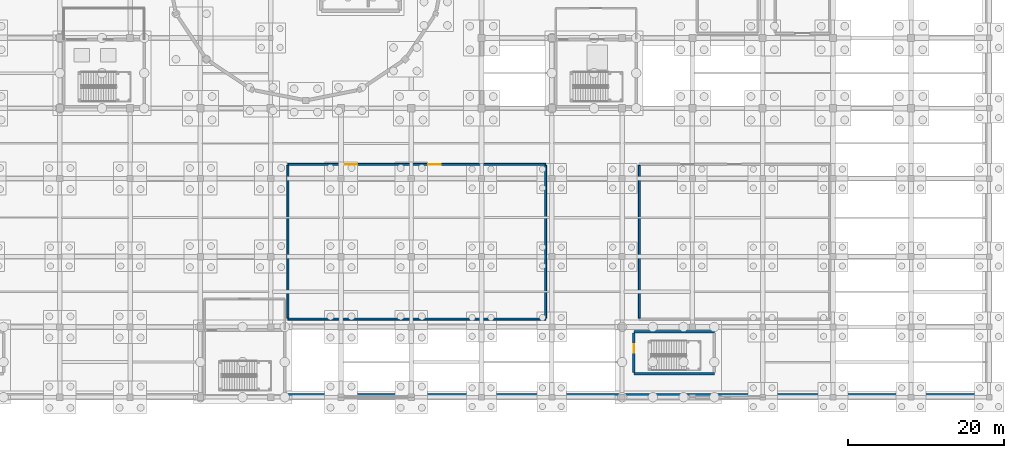
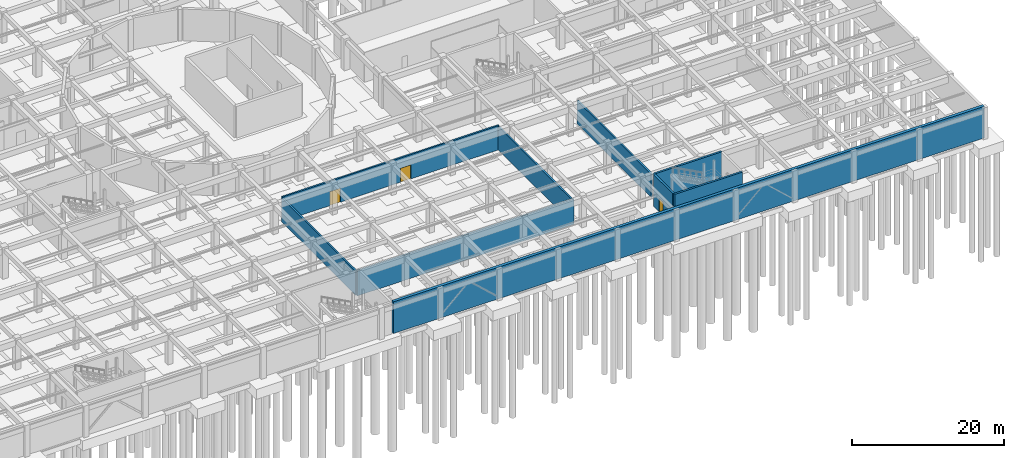
# One storey, part 44 of 62: 9 walls, 3 doors, 3 openings.
"""IFC4 building model written with IfcOpenShell, lengths in metres."""

from ifc_helpers import new_model, si_unit, direction, frame, frame_2d, origin, place, context, subcontext, project, spatial, rectangle, extrude, material, layer, layer_set, type_object, element, fill, save


model = new_model("IFC4")

# Units and contexts
model_context = context("Model", 3, precision=1e-05, world=origin(), true_north=direction((0.0, 1.0)))
body_context = subcontext(model_context, "Body", "Model", "MODEL_VIEW")
ifc_project = project(units=[si_unit("LENGTHUNIT", "METRE"), si_unit("AREAUNIT", "SQUARE_METRE"), si_unit("VOLUMEUNIT", "CUBIC_METRE"), si_unit("PLANEANGLEUNIT", "RADIAN"), si_unit("MASSUNIT", "GRAM", prefix="KILO")], contexts=[model_context])

# Site, building, storey
site_placement = place(None, origin())
site = spatial("IfcSite", under=ifc_project, at=site_placement, CompositionType="ELEMENT")
building_placement = place(site_placement, origin())
building = spatial("IfcBuilding", under=site, at=building_placement, Name="Miravela Opera House", CompositionType="ELEMENT")
storey_placement = place(building_placement, frame((0.0, 0.0, -5.10009765625)))
storey = spatial("IfcBuildingStorey", under=building, at=storey_placement, Name="B01", CompositionType="ELEMENT", Elevation=-5.10009765625)

# Wall
ifc_material_1 = material(Name="Firefighting lobby compartment wall")
ifc_layer_1 = layer(ifc_material_1, 0.25)
ifc_layer_set_1 = layer_set([ifc_layer_1])
wall_type_1 = type_object("IfcWallType", Name="ARC-PT-220", PredefinedType="PARTITIONING", material=ifc_layer_set_1)
wall_1_placement = place(storey_placement, frame((74.199951171875, 10.0, 0.0), z_axis=(0.0, 0.0, 1.0), x_axis=(1.0, 0.0, 0.0)))
element("IfcWall", 1, at=wall_1_placement, inside=storey, type_object=wall_type_1, Name="Central Chiller and Acoustic HVAC Plant Room Partition South", PredefinedType="PARTITIONING", context=body_context, shape_type="SweptSolid", body=[
    extrude(rectangle(XDim=33.0, YDim=0.25, at=frame_2d((16.5, 0.0))), origin(), (0.0, 0.0, 1.0), 4.06005859375),
])

# Wall, openings, doors
wall_2_placement = place(storey_placement, frame((74.199951171875, 29.800048828125, 0.0), z_axis=(0.0, 0.0, 1.0), x_axis=(1.0, 0.0, 0.0)))
wall_2 = element("IfcWall", 2, at=wall_2_placement, inside=storey, type_object=wall_type_1, Name="Central Chiller and Acoustic HVAC Plant Room Partition North", PredefinedType="PARTITIONING", context=body_context, shape_type="SweptSolid", body=[
    extrude(rectangle(XDim=33.0, YDim=0.25, at=frame_2d((16.5, 0.0))), origin(), (0.0, 0.0, 1.0), 3.91015625),
])
opening_1_placement = place(wall_2_placement, frame((17.991943359375, 0.0, 0.0)))
opening_1 = element("IfcOpeningElement", 3, at=opening_1_placement, cuts=wall_2, Name="Opening FD-04", PredefinedType="OPENING", context=body_context, shape_type="SweptSolid", body=[
    extrude(rectangle(XDim=1.60009765625, YDim=2.25, at=frame_2d((0.800048828125, 1.125))), frame((0.0, 0.135009765625, 0.0), z_axis=(0.0, -1.0, 0.0), x_axis=(1.0, 0.0, 0.0)), (0.0, 0.0, 1.0), 0.27001953125),
])
opening_2_placement = place(wall_2_placement, frame((7.260009765625, 0.0, 0.0)))
opening_2 = element("IfcOpeningElement", 4, at=opening_2_placement, cuts=wall_2, Name="Opening FD-04", PredefinedType="OPENING", context=body_context, shape_type="SweptSolid", body=[
    extrude(rectangle(XDim=1.60009765625, YDim=2.25, at=frame_2d((0.800048828125, 1.125))), frame((0.0, 0.135009765625, 0.0), z_axis=(0.0, -1.0, 0.0), x_axis=(1.0, 0.0, 0.0)), (0.0, 0.0, 1.0), 0.27001953125),
])
ifc_material_2 = material(Name="Fire-rated rehearsal/vomitory double door")
door_type_1 = type_object("IfcDoorType", Name="ARC-FD-1600X2250", OperationType="NOTDEFINED", PredefinedType="DOOR", material=ifc_material_2)
door_1_placement = place(opening_1_placement, origin())
door_1 = element("IfcDoor", 5, at=door_1_placement, inside=storey, type_object=door_type_1, Name="Central Chiller and Acoustic HVAC Plant Room Entry Door IDR-B01-0076", OperationType="DOUBLE_DOOR_SINGLE_SWING", OverallHeight=2.25, OverallWidth=1.60009765625, PredefinedType="DOOR", context=body_context, shape_type="SweptSolid", body=[
    extrude(rectangle(XDim=1.60009765625, YDim=2.25, at=frame_2d((0.800048828125, 1.125))), frame((0.0, 0.02490234375, 0.0), z_axis=(0.0, -1.0, 0.0), x_axis=(1.0, 0.0, 0.0)), (0.0, 0.0, 1.0), 0.050048828125),
])
fill(opening_1, door_1)
door_2_placement = place(opening_2_placement, origin())
door_2 = element("IfcDoor", 6, at=door_2_placement, inside=storey, type_object=door_type_1, Name="Central Chiller and Acoustic HVAC Plant Room Secondary Exit Door IDR-B01-0077", OperationType="DOUBLE_DOOR_SINGLE_SWING", OverallHeight=2.25, OverallWidth=1.60009765625, PredefinedType="DOOR", context=body_context, shape_type="SweptSolid", body=[
    extrude(rectangle(XDim=1.60009765625, YDim=2.25, at=frame_2d((0.800048828125, 1.125))), frame((0.0, 0.02490234375, 0.0), z_axis=(0.0, -1.0, 0.0), x_axis=(1.0, 0.0, 0.0)), (0.0, 0.0, 1.0), 0.050048828125),
])
fill(opening_2, door_2)

# Walls
wall_3_placement = place(storey_placement, frame((74.199951171875, 10.125, 0.0), z_axis=(0.0, 0.0, 1.0), x_axis=(0.0, 1.0, 0.0)))
element("IfcWall", 7, at=wall_3_placement, inside=storey, type_object=wall_type_1, Name="Central Chiller and Acoustic HVAC Plant Room Partition West", PredefinedType="PARTITIONING", context=body_context, shape_type="SweptSolid", body=[
    extrude(rectangle(XDim=19.550048828125, YDim=0.25, at=frame_2d((9.77490234375, 0.0))), origin(), (0.0, 0.0, 1.0), 3.860107421875),
])
for number, where, z_axis, x_axis, name in (
    (8, (107.199951171875, 10.125, 0.0), (0.0, 0.0, 1.0), (0.0, 1.0, 0.0), "Central Chiller and Acoustic HVAC Plant Room Partition East"),
    (9, (119.199951171875, 10.125, 0.0), (0.0, 0.0, 1.0), (0.0, 1.0, 0.0), "Medium-Voltage Electrical Substation and Generator Hall Partition West"),
):
    element("IfcWall", number, at=place(storey_placement, frame(where, z_axis=z_axis, x_axis=x_axis)), inside=storey, type_object=wall_type_1, Name=name, PredefinedType="PARTITIONING", context=body_context, shape_type="SweptSolid", body=[
        extrude(rectangle(XDim=19.550048828125, YDim=0.25, at=frame_2d((9.77490234375, 0.0))), origin(), (0.0, 0.0, 1.0), 3.760009765625),
    ])
ifc_material_3 = material(Name="Concrete C40/50", Category="concrete")
ifc_layer_2 = layer(ifc_material_3, 0.449951171875)
ifc_layer_set_2 = layer_set([ifc_layer_2])
wall_type_2 = type_object("IfcWallType", Name="STR-WALL-RET-450", PredefinedType="SOLIDWALL", material=ifc_layer_set_2)
wall_4_placement = place(storey_placement, frame((74.0, 0.22509765625, 0.0), z_axis=(0.0, 0.0, 1.0), x_axis=(1.0, 0.0, 0.0)))
element("IfcWall", 10, at=wall_4_placement, inside=storey, type_object=wall_type_2, Name="Basement Retaining Wall B01-RET-S1E", PredefinedType="SOLIDWALL", context=body_context, shape_type="SweptSolid", body=[
    extrude(rectangle(XDim=90.0, YDim=0.449951171875, at=frame_2d((45.0, 0.0))), origin(), (0.0, 0.0, 1.0), 5.10009765625),
])
ifc_material_4 = material(Name="Concrete C35/45", Category="concrete")
ifc_layer_3 = layer(ifc_material_4, 0.300048828125)
ifc_layer_set_3 = layer_set([ifc_layer_3])
wall_type_3 = type_object("IfcWallType", Name="STR-WALL-WING-300", PredefinedType="SHEAR", material=ifc_layer_set_3)
for number, where, z_axis, x_axis, name in (
    (11, (118.5, 3.0, 0.0), (0.0, 0.0, 1.0), (1.0, 0.0, 0.0), "Core ST-10 Shear Wall South (B01)"),
    (12, (118.5, 8.39990234375, 0.0), (0.0, 0.0, 1.0), (1.0, 0.0, 0.0), "Core ST-10 Shear Wall North (B01)"),
):
    element("IfcWall", number, at=place(storey_placement, frame(where, z_axis=z_axis, x_axis=x_axis)), inside=storey, type_object=wall_type_3, Name=name, PredefinedType="SHEAR", context=body_context, shape_type="SweptSolid", body=[
        extrude(rectangle(XDim=10.300048828125, YDim=0.300048828125, at=frame_2d((5.14990234375, 0.0))), origin(), (0.0, 0.0, 1.0), 5.10009765625),
    ])

# Wall, opening, door
wall_5_placement = place(storey_placement, frame((118.5, 3.14990234375, 0.0), z_axis=(0.0, 0.0, 1.0), x_axis=(0.0, 1.0, 0.0)))
wall_5 = element("IfcWall", 13, at=wall_5_placement, inside=storey, type_object=wall_type_3, Name="Core ST-10 Shear Wall West (B01)", PredefinedType="SHEAR", context=body_context, shape_type="SweptSolid", body=[
    extrude(rectangle(XDim=5.10009765625, YDim=0.300048828125, at=frame_2d((2.550048828125, 0.0))), origin(), (0.0, 0.0, 1.0), 5.10009765625),
])
opening_3_placement = place(wall_5_placement, frame((2.550048828125, 0.0, 0.0)))
opening_3 = element("IfcOpeningElement", 14, at=opening_3_placement, cuts=wall_5, Name="Opening FD-01", PredefinedType="OPENING", context=body_context, shape_type="SweptSolid", body=[
    extrude(rectangle(XDim=1.10009765625, YDim=2.199951171875, at=frame_2d((0.550048828125, 1.10009765625))), frame((0.0, 0.159912109375, 0.0), z_axis=(0.0, -1.0, 0.0), x_axis=(1.0, 0.0, 0.0)), (0.0, 0.0, 1.0), 0.320068359375),
])
ifc_material_5 = material(Name="Fire-rated steel/hardwood exit stair door", Category="steel")
door_type_2 = type_object("IfcDoorType", Name="ARC-FD-1100X2200", OperationType="NOTDEFINED", PredefinedType="DOOR", material=ifc_material_5)
door_3_placement = place(opening_3_placement, frame((1.10009765625, 0.0, 0.0), z_axis=(0.0, 0.0, 1.0), x_axis=(-1.0, 0.0, 0.0)))
door_3 = element("IfcDoor", 15, at=door_3_placement, inside=storey, type_object=door_type_2, Name="Exit Stair ST-10 Rated Door (B01) IDR-B01-0054", OperationType="SINGLE_SWING_RIGHT", OverallHeight=2.199951171875, OverallWidth=1.10009765625, PredefinedType="DOOR", context=body_context, shape_type="SweptSolid", body=[
    extrude(rectangle(XDim=1.10009765625, YDim=2.199951171875, at=frame_2d((0.550048828125, 1.10009765625))), frame((0.0, 0.02490234375, 0.0), z_axis=(0.0, -1.0, 0.0), x_axis=(1.0, 0.0, 0.0)), (0.0, 0.0, 1.0), 0.050048828125),
])
fill(opening_3, door_3)

save(model, "model.ifc")
